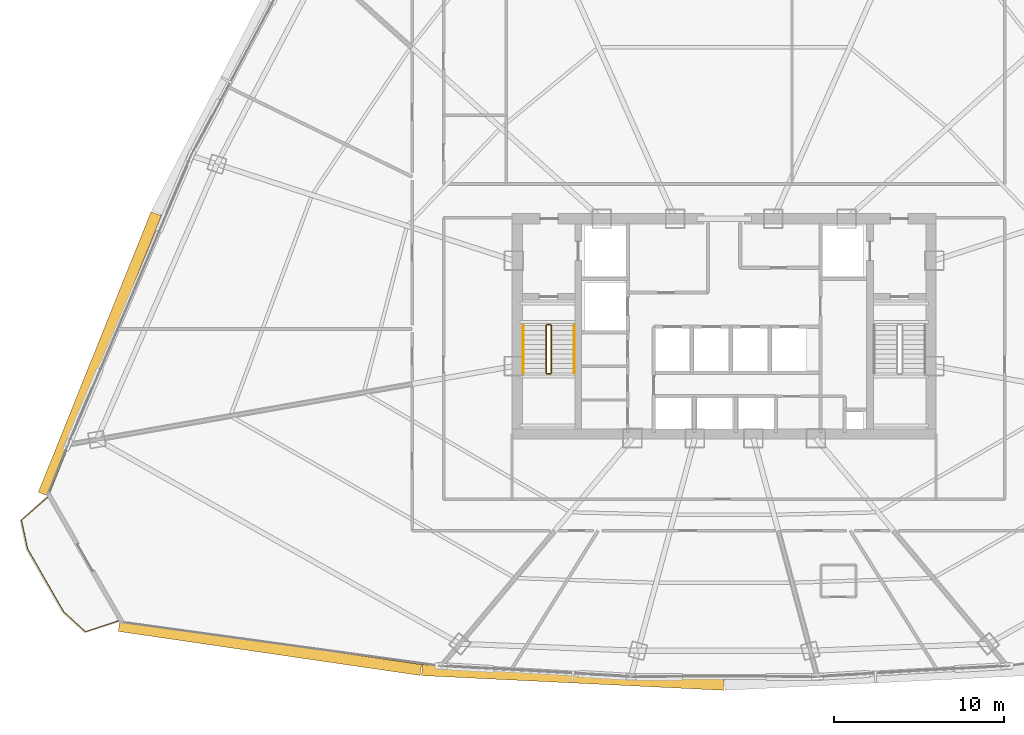
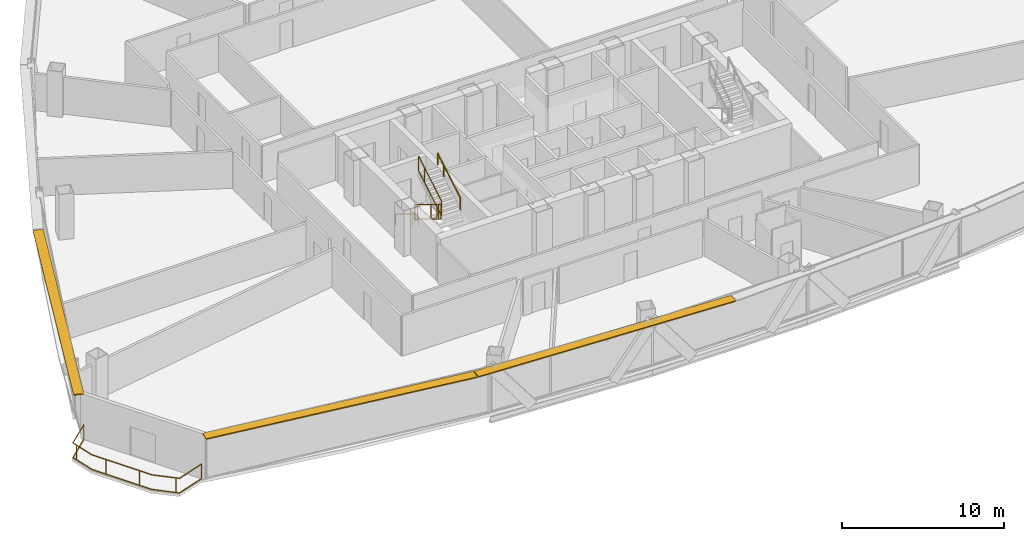
# One storey, part 36 of 39: 7 railings, 3 shading devices.
"""IFC4 building model written with IfcOpenShell, lengths in metres."""

from ifc_helpers import new_model, si_unit, direction, frame, origin, origin_2d, place, context, subcontext, project, spatial, rectangle, extrude, source, transform, mapped, material, layer, layer_set, type_object, element, save


model = new_model("IFC4")

# Units and contexts
model_context = context("Model", 3, precision=1e-05, world=origin(), true_north=direction((0.0, 1.0)))
body_context = subcontext(model_context, "Body", "Model", "MODEL_VIEW")
ifc_project = project(units=[si_unit("LENGTHUNIT", "METRE"), si_unit("AREAUNIT", "SQUARE_METRE"), si_unit("VOLUMEUNIT", "CUBIC_METRE"), si_unit("PLANEANGLEUNIT", "RADIAN"), si_unit("MASSUNIT", "GRAM", prefix="KILO"), si_unit("THERMODYNAMICTEMPERATUREUNIT", "KELVIN"), si_unit("POWERUNIT", "WATT")], contexts=[model_context])

# Site, building, storey
site_placement = place(None, origin())
site = spatial("IfcSite", under=ifc_project, at=site_placement, CompositionType="ELEMENT")
building_placement = place(site_placement, origin())
building = spatial("IfcBuilding", under=site, at=building_placement, Name="Yunzhuo Pagoda Commons", CompositionType="ELEMENT")
storey_placement = place(building_placement, frame((0.0, 0.0, 140.8701171875)))
storey = spatial("IfcBuildingStorey", under=building, at=storey_placement, Name="L35", CompositionType="ELEMENT", Elevation=140.8701171875)

# Railings
ifc_material = material(Name="Anodized aluminium 6063-T6", Category="aluminium")
railing_type_1 = type_object("IfcRailingType", Name="GR-ST1 Stair Well Guardrail 1150", PredefinedType="GUARDRAIL", material=ifc_material)
railing_1_placement = place(storey_placement, frame((37.5, 33.89990234375, 0.167236328125)))
element("IfcRailing", 1, at=railing_1_placement, inside=storey, type_object=railing_type_1, Name="L35 ST1 stair guard 1", PredefinedType="GUARDRAIL", context=body_context, shape_type="SweptSolid", body=[
    extrude(rectangle(XDim=0.048095703125, YDim=0.048095703125, at=origin_2d()), frame((0.0, 0.0, 1.1259765625), z_axis=(0.0, -0.858475523978, 0.512854535645), x_axis=(1.0, 0.0, 0.0)), (0.0, 0.0, 1.0), 3.261474609375),
    extrude(rectangle(XDim=0.048095703125, YDim=0.048095703125, at=origin_2d()), frame((0.0, 0.0, 0.02392578125), z_axis=(0.0, -0.858475523978, 0.512854535645), x_axis=(1.0, 0.0, 0.0)), (0.0, 0.0, 1.0), 3.261474609375),
    extrude(rectangle(XDim=0.0419921875, YDim=0.0419921875, at=origin_2d()), origin(), (0.0, 0.0, 1.0), 1.101806640625),
    extrude(rectangle(XDim=0.0419921875, YDim=0.0419921875, at=origin_2d()), frame((0.0, -2.060302734375, 1.23095703125)), (0.0, 0.0, 1.0), 1.101806640625),
    extrude(rectangle(XDim=0.0419921875, YDim=0.0419921875, at=origin_2d()), frame((0.0, -2.7998046875, 1.672607421875)), (0.0, 0.0, 1.0), 1.101806640625),
])
railing_2_placement = place(storey_placement, frame((37.550048828125, 31.050048828125, 1.83984375)))
element("IfcRailing", 2, at=railing_2_placement, inside=storey, type_object=railing_type_1, Name="L35 ST1 stair guard 2", PredefinedType="GUARDRAIL", context=body_context, shape_type="SweptSolid", body=[
    extrude(rectangle(XDim=0.048095703125, YDim=0.048095703125, at=origin_2d()), frame((0.0, 0.0, 1.1259765625), z_axis=(1.0, 0.0, 0.0), x_axis=(0.0, 1.0, 0.0)), (0.0, 0.0, 1.0), 0.199951171875),
    extrude(rectangle(XDim=0.048095703125, YDim=0.048095703125, at=origin_2d()), frame((0.0, 0.0, 0.02392578125), z_axis=(1.0, 0.0, 0.0), x_axis=(0.0, 1.0, 0.0)), (0.0, 0.0, 1.0), 0.199951171875),
    extrude(rectangle(XDim=0.0419921875, YDim=0.0419921875, at=origin_2d()), origin(), (0.0, 0.0, 1.0), 1.101806640625),
    extrude(rectangle(XDim=0.0419921875, YDim=0.0419921875, at=origin_2d()), frame((0.199951171875, 0.0, 0.0)), (0.0, 0.0, 1.0), 1.101806640625),
])
railing_3_placement = place(storey_placement, frame((37.800048828125, 31.10009765625, 2.007080078125)))
element("IfcRailing", 3, at=railing_3_placement, inside=storey, type_object=railing_type_1, Name="L35 ST1 stair guard 3", PredefinedType="GUARDRAIL", context=body_context, shape_type="SweptSolid", body=[
    extrude(rectangle(XDim=0.048095703125, YDim=0.048095703125, at=origin_2d()), frame((0.0, 0.0, 1.1259765625), z_axis=(0.0, 0.858442565357, 0.512909701589), x_axis=(-1.0, 0.0, 0.0)), (0.0, 0.0, 1.0), 3.261474609375),
    extrude(rectangle(XDim=0.048095703125, YDim=0.048095703125, at=origin_2d()), frame((0.0, 0.0, 0.02392578125), z_axis=(0.0, 0.858442565357, 0.512909701589), x_axis=(-1.0, 0.0, 0.0)), (0.0, 0.0, 1.0), 3.261474609375),
    extrude(rectangle(XDim=0.0419921875, YDim=0.0419921875, at=origin_2d()), origin(), (0.0, 0.0, 1.0), 1.101806640625),
    extrude(rectangle(XDim=0.0419921875, YDim=0.0419921875, at=origin_2d()), frame((0.0, 2.060302734375, 1.23095703125)), (0.0, 0.0, 1.0), 1.101806640625),
    extrude(rectangle(XDim=0.0419921875, YDim=0.0419921875, at=origin_2d()), frame((0.0, 2.7998046875, 1.6728515625)), (0.0, 0.0, 1.0), 1.101806640625),
])
railing_4_placement = place(storey_placement, frame((37.550048828125, 33.949951171875, 0.0)))
element("IfcRailing", 4, at=railing_4_placement, inside=storey, type_object=railing_type_1, Name="L35 ST1 stair guard 4", PredefinedType="GUARDRAIL", context=body_context, shape_type="SweptSolid", body=[
    extrude(rectangle(XDim=0.048095703125, YDim=0.048095703125, at=origin_2d()), frame((0.0, 0.0, 1.1259765625), z_axis=(1.0, 0.0, 0.0), x_axis=(0.0, 1.0, 0.0)), (0.0, 0.0, 1.0), 0.199951171875),
    extrude(rectangle(XDim=0.048095703125, YDim=0.048095703125, at=origin_2d()), frame((0.0, 0.0, 0.02392578125), z_axis=(1.0, 0.0, 0.0), x_axis=(0.0, 1.0, 0.0)), (0.0, 0.0, 1.0), 0.199951171875),
    extrude(rectangle(XDim=0.0419921875, YDim=0.0419921875, at=origin_2d()), origin(), (0.0, 0.0, 1.0), 1.101806640625),
    extrude(rectangle(XDim=0.0419921875, YDim=0.0419921875, at=origin_2d()), frame((0.199951171875, 0.0, 0.0)), (0.0, 0.0, 1.0), 1.101806640625),
])
railing_type_2 = type_object("IfcRailingType", Name="HR-ST1 Stair Handrail 900", PredefinedType="HANDRAIL", material=ifc_material)
railing_5_placement = place(storey_placement, frame((36.14990234375, 33.89990234375, 0.167236328125)))
element("IfcRailing", 5, at=railing_5_placement, inside=storey, type_object=railing_type_2, Name="L35 ST1 stair handrail 1", PredefinedType="HANDRAIL", context=body_context, shape_type="SweptSolid", body=[
    extrude(rectangle(XDim=0.048095703125, YDim=0.048095703125, at=origin_2d()), frame((0.0, 0.0, 0.8759765625), z_axis=(0.0, -0.858475523978, 0.512854535645), x_axis=(1.0, 0.0, 0.0)), (0.0, 0.0, 1.0), 3.261474609375),
    extrude(rectangle(XDim=0.0419921875, YDim=0.0419921875, at=origin_2d()), origin(), (0.0, 0.0, 1.0), 0.851806640625),
    extrude(rectangle(XDim=0.0419921875, YDim=0.0419921875, at=origin_2d()), frame((0.0, -2.060302734375, 1.23095703125)), (0.0, 0.0, 1.0), 0.851806640625),
    extrude(rectangle(XDim=0.0419921875, YDim=0.0419921875, at=origin_2d()), frame((0.0, -2.7998046875, 1.672607421875)), (0.0, 0.0, 1.0), 0.851806640625),
])
railing_6_placement = place(storey_placement, frame((39.14990234375, 31.10009765625, 2.007080078125)))
element("IfcRailing", 6, at=railing_6_placement, inside=storey, type_object=railing_type_2, Name="L35 ST1 stair handrail 2", PredefinedType="HANDRAIL", context=body_context, shape_type="SweptSolid", body=[
    extrude(rectangle(XDim=0.048095703125, YDim=0.048095703125, at=origin_2d()), frame((0.0, 0.0, 0.8759765625), z_axis=(0.0, 0.858442565357, 0.512909701589), x_axis=(-1.0, 0.0, 0.0)), (0.0, 0.0, 1.0), 3.261474609375),
    extrude(rectangle(XDim=0.0419921875, YDim=0.0419921875, at=origin_2d()), origin(), (0.0, 0.0, 1.0), 0.851806640625),
    extrude(rectangle(XDim=0.0419921875, YDim=0.0419921875, at=origin_2d()), frame((0.0, 2.060302734375, 1.23095703125)), (0.0, 0.0, 1.0), 0.851806640625),
    extrude(rectangle(XDim=0.0419921875, YDim=0.0419921875, at=origin_2d()), frame((0.0, 2.7998046875, 1.6728515625)), (0.0, 0.0, 1.0), 0.851806640625),
])
railing_type_3 = type_object("IfcRailingType", Name="RL-BAL1 Exterior Terrace & Balcony Balustrade 1150", PredefinedType="BALUSTRADE", material=ifc_material)
railing_7_placement = place(storey_placement, frame((8.103515625, 23.773681640625, 0.0)))
element("IfcRailing", 7, at=railing_7_placement, inside=storey, type_object=railing_type_3, Name="L35 corner balcony balustrade V1", PredefinedType="BALUSTRADE", context=body_context, shape_type="SweptSolid", body=[
    extrude(rectangle(XDim=0.048095703125, YDim=0.048095703125, at=origin_2d()), frame((0.0, 0.0, 1.1259765625), z_axis=(-0.753933830692, -0.656950362614, 0.0), x_axis=(0.656950362614, -0.753933830692, 0.0)), (0.0, 0.0, 1.0), 2.05908203125),
    extrude(rectangle(XDim=0.048095703125, YDim=0.048095703125, at=origin_2d()), frame((0.0, 0.0, 0.02392578125), z_axis=(-0.753933830692, -0.656950362614, 0.0), x_axis=(0.656950362614, -0.753933830692, 0.0)), (0.0, 0.0, 1.0), 2.05908203125),
    extrude(rectangle(XDim=0.048095703125, YDim=0.048095703125, at=origin_2d()), frame((-1.552490234375, -1.352783203125, 1.1259765625), z_axis=(0.210380911568, -0.977619492465, 0.0), x_axis=(0.977619492465, 0.210380911568, 0.0)), (0.0, 0.0, 1.0), 1.741943359375),
    extrude(rectangle(XDim=0.048095703125, YDim=0.048095703125, at=origin_2d()), frame((-1.552490234375, -1.352783203125, 0.02392578125), z_axis=(0.210380911568, -0.977619492465, 0.0), x_axis=(0.977619492465, 0.210380911568, 0.0)), (0.0, 0.0, 1.0), 1.741943359375),
    extrude(rectangle(XDim=0.048095703125, YDim=0.048095703125, at=origin_2d()), frame((-1.18603515625, -3.0556640625, 1.1259765625), z_axis=(0.497938246053, -0.867212490176, 0.0), x_axis=(0.867212490176, 0.497938246053, 0.0)), (0.0, 0.0, 1.0), 4.27880859375),
    extrude(rectangle(XDim=0.048095703125, YDim=0.048095703125, at=origin_2d()), frame((-1.18603515625, -3.0556640625, 0.02392578125), z_axis=(0.497938246053, -0.867212490176, 0.0), x_axis=(0.867212490176, 0.497938246053, 0.0)), (0.0, 0.0, 1.0), 4.27880859375),
    extrude(rectangle(XDim=0.048095703125, YDim=0.048095703125, at=origin_2d()), frame((0.944580078125, -6.766357421875, 1.1259765625), z_axis=(0.738206272815, -0.674575050514, 0.0), x_axis=(0.674575050514, 0.738206272815, 0.0)), (0.0, 0.0, 1.0), 1.741943359375),
    extrude(rectangle(XDim=0.048095703125, YDim=0.048095703125, at=origin_2d()), frame((0.944580078125, -6.766357421875, 0.02392578125), z_axis=(0.738206272815, -0.674575050514, 0.0), x_axis=(0.674575050514, 0.738206272815, 0.0)), (0.0, 0.0, 1.0), 1.741943359375),
    extrude(rectangle(XDim=0.048095703125, YDim=0.048095703125, at=origin_2d()), frame((2.23046875, -7.94140625, 1.1259765625), z_axis=(0.947419062147, 0.319995501031, 0.0), x_axis=(-0.319995501031, 0.947419062147, 0.0)), (0.0, 0.0, 1.0), 2.05908203125),
    extrude(rectangle(XDim=0.048095703125, YDim=0.048095703125, at=origin_2d()), frame((2.23046875, -7.94140625, 0.02392578125), z_axis=(0.947419062147, 0.319995501031, 0.0), x_axis=(-0.319995501031, 0.947419062147, 0.0)), (0.0, 0.0, 1.0), 2.05908203125),
    extrude(rectangle(XDim=0.0419921875, YDim=0.0419921875, at=origin_2d()), origin(), (0.0, 0.0, 1.0), 1.101806640625),
    extrude(rectangle(XDim=0.0419921875, YDim=0.0419921875, at=origin_2d()), frame((-1.480712890625, -1.68603515625, 0.0)), (0.0, 0.0, 1.0), 1.101806640625),
    extrude(rectangle(XDim=0.0419921875, YDim=0.0419921875, at=origin_2d()), frame((-0.688720703125, -3.921875, 0.0)), (0.0, 0.0, 1.0), 1.101806640625),
    extrude(rectangle(XDim=0.0419921875, YDim=0.0419921875, at=origin_2d()), frame((0.50634765625, -6.003173828125, 0.0)), (0.0, 0.0, 1.0), 1.101806640625),
    extrude(rectangle(XDim=0.0419921875, YDim=0.0419921875, at=origin_2d()), frame((2.066650390625, -7.791748046875, 0.0)), (0.0, 0.0, 1.0), 1.101806640625),
    extrude(rectangle(XDim=0.0419921875, YDim=0.0419921875, at=origin_2d()), frame((4.181396484375, -7.282470703125, 0.0)), (0.0, 0.0, 1.0), 1.101806640625),
])

# Shading devices
ifc_layer = layer(ifc_material, 0.080078125)
ifc_layer_set = layer_set([ifc_layer], Name="Anodized aluminium 6063-T6")
shading_device_type = type_object("IfcShadingDeviceType", Name="SH-SUN1 Pagoda Horizontal Sunshade Eave 650", PredefinedType="USERDEFINED", material=ifc_layer_set)
shared_shape_1 = source(origin(), body_context, "Body", "SweptSolid", [
    extrude(rectangle(XDim=17.98681640625, YDim=0.64990234375, at=origin_2d()), origin(), (0.0, 0.0, 1.0), 0.080078125),
])
shading_device_1_placement = place(storey_placement, frame((21.208984375, 14.882080078125, 3.33984375), z_axis=(0.0, 0.0, 1.0), x_axis=(0.989510666697, -0.144459823108, 0.0)))
element("IfcShadingDevice", 8, at=shading_device_1_placement, inside=storey, type_object=shading_device_type, Name="L35 horizontal pagoda sunshade eave F1.1", ObjectType="SUNSHADE", PredefinedType="USERDEFINED", context=body_context, shape_type="MappedRepresentation", body=[
    mapped(shared_shape_1, transform((0.0, 0.0, 0.0), scale=1.0)),
])
shared_shape_2 = source(origin(), body_context, "Body", "SweptSolid", [
    extrude(rectangle(XDim=17.818603515625, YDim=0.64990234375, at=origin_2d()), origin(), (0.0, 0.0, 1.0), 0.080078125),
])
shading_device_2_placement = place(storey_placement, frame((39.069580078125, 13.14404296875, 3.33984375), z_axis=(0.0, 0.0, 1.0), x_axis=(0.998818043775, -0.04860571396, 0.0)))
element("IfcShadingDevice", 9, at=shading_device_2_placement, inside=storey, type_object=shading_device_type, Name="L35 horizontal pagoda sunshade eave F1.2", ObjectType="SUNSHADE", PredefinedType="USERDEFINED", context=body_context, shape_type="MappedRepresentation", body=[
    mapped(shared_shape_2, transform((0.0, 0.0, 0.0), scale=1.0)),
])
shared_shape_3 = source(origin(), body_context, "Body", "SweptSolid", [
    extrude(rectangle(XDim=17.842041015625, YDim=0.64990234375, at=origin_2d()), origin(), (0.0, 0.0, 1.0), 0.080078125),
])
shading_device_3_placement = place(storey_placement, frame((11.176025390625, 32.228271484375, 3.33984375), z_axis=(0.0, 0.0, 1.0), x_axis=(-0.372987782576, -0.927836253899, 0.0)))
element("IfcShadingDevice", 10, at=shading_device_3_placement, inside=storey, type_object=shading_device_type, Name="L35 horizontal pagoda sunshade eave F3.4", ObjectType="SUNSHADE", PredefinedType="USERDEFINED", context=body_context, shape_type="MappedRepresentation", body=[
    mapped(shared_shape_3, transform((0.0, 0.0, 0.0), scale=1.0)),
])

save(model, "model.ifc")
